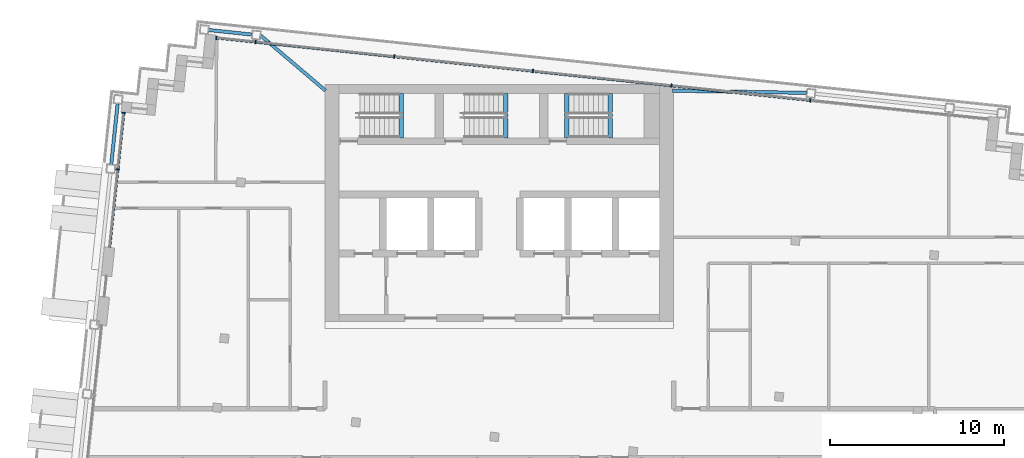
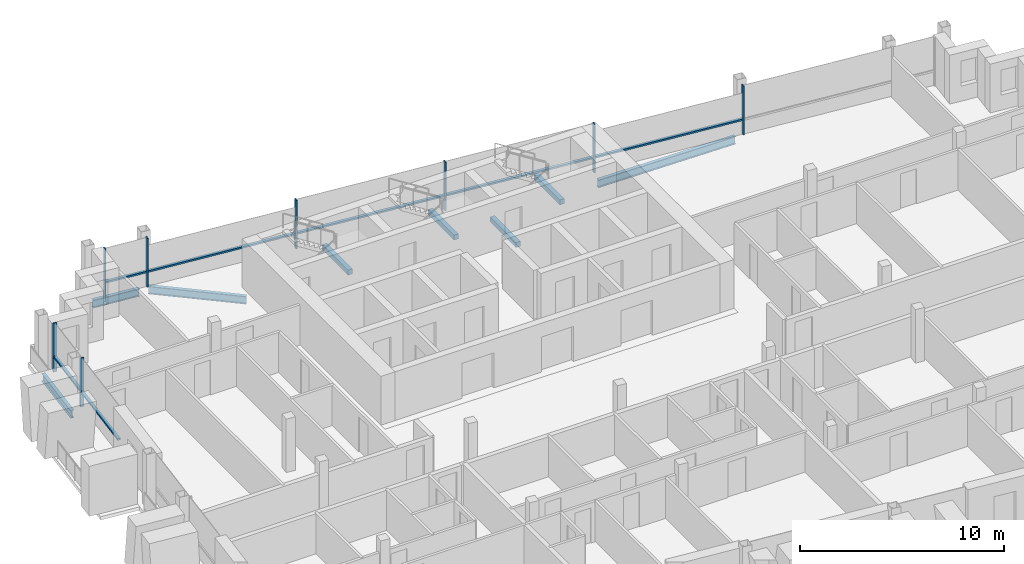
# One storey, part 5 of 16: 15 members, 8 beams, 2 elements without a shape of their own.
"""IFC4 building model written with IfcOpenShell, lengths in metres."""

from ifc_helpers import new_model, si_unit, direction, frame, origin, origin_2d, place, context, subcontext, project, spatial, rectangle, i_section, extrude, material, material_profile, profile_set, type_object, element, aggregate, save


model = new_model("IFC4")

# Units and contexts
model_context = context("Model", 3, precision=1e-05, world=origin(), true_north=direction((0.0, 1.0)))
body_context = subcontext(model_context, "Body", "Model", "MODEL_VIEW")
ifc_project = project(units=[si_unit("LENGTHUNIT", "METRE"), si_unit("AREAUNIT", "SQUARE_METRE"), si_unit("VOLUMEUNIT", "CUBIC_METRE"), si_unit("PLANEANGLEUNIT", "RADIAN"), si_unit("MASSUNIT", "GRAM", prefix="KILO")], contexts=[model_context])

# Site, building, storey
site_placement = place(None, origin())
site = spatial("IfcSite", under=ifc_project, at=site_placement, CompositionType="ELEMENT")
building_placement = place(site_placement, origin())
building = spatial("IfcBuilding", under=site, at=building_placement, Name="Vidyagriha Tower", CompositionType="ELEMENT")
storey_placement = place(building_placement, frame((0.0, 0.0, 272.300048828125)))
storey = spatial("IfcBuildingStorey", under=building, at=storey_placement, Name="L71", CompositionType="ELEMENT", Elevation=272.300048828125)

# Beams
ifc_material_1 = material(Name="Steel ASTM A992 Grade 50", Category="steel")
ifc_material_profile_1 = material_profile(ifc_material_1, i_section(OverallWidth=0.19189453125, OverallDepth=0.46240234375, WebThickness=0.010498046875, FlangeThickness=0.017578125, at=origin_2d()), Name="W18X60")
ifc_profile_set_1 = profile_set([ifc_material_profile_1], Name="Steel ASTM A992 Grade 50")
beam_type_1 = type_object("IfcBeamType", Name="Edge beam W18X60", PredefinedType="SPANDREL", material=ifc_profile_set_1)
beam_1_placement = place(storey_placement, frame((-22.263916015625, 15.422607421875, -0.51123046875), z_axis=(0.104495960989, 0.994525310958, 0.0), x_axis=(-0.994525310958, 0.104495960989, 0.0)))
element("IfcBeam", 1, at=beam_1_placement, inside=storey, type_object=beam_type_1, Name="st-beam-L71-W12", PredefinedType="SPANDREL", context=body_context, shape_type="SweptSolid", body=[
    extrude(i_section(OverallWidth=0.19189453125, OverallDepth=0.46240234375, WebThickness=0.010498046875, FlangeThickness=0.017578125, at=origin_2d()), origin(), (0.0, 0.0, 1.0), 3.499755859375),
])
beam_2_placement = place(storey_placement, frame((-16.677490234375, 23.130859375, -0.51123046875), z_axis=(0.994514546653, -0.104598357995, 0.0), x_axis=(0.104598357995, 0.994514546653, 0.0)))
element("IfcBeam", 2, at=beam_2_placement, inside=storey, type_object=beam_type_1, Name="st-beam-L71-NW18", PredefinedType="SPANDREL", context=body_context, shape_type="SweptSolid", body=[
    extrude(i_section(OverallWidth=0.19189453125, OverallDepth=0.46240234375, WebThickness=0.010498046875, FlangeThickness=0.017578125, at=origin_2d()), origin(), (0.0, 0.0, 1.0), 2.499755859375),
])
beam_3_placement = place(storey_placement, frame((-13.694091796875, 22.817138671875, -0.51123046875), z_axis=(0.762224865329, -0.647312331625, 0.0), x_axis=(0.647312331625, 0.762224865329, 0.0)))
element("IfcBeam", 3, at=beam_3_placement, inside=storey, type_object=beam_type_1, Name="st-beam-L71-NC21", PredefinedType="SPANDREL", context=body_context, shape_type="SweptSolid", body=[
    extrude(i_section(OverallWidth=0.19189453125, OverallDepth=0.46240234375, WebThickness=0.010498046875, FlangeThickness=0.017578125, at=origin_2d()), origin(), (0.0, 0.0, 1.0), 4.892822265625),
])
beam_4_placement = place(storey_placement, frame((9.92578125, 19.64990234375, -0.51123046875), z_axis=(0.99986748631, -0.016279122203, 0.0), x_axis=(0.016279122203, 0.99986748631, 0.0)))
element("IfcBeam", 4, at=beam_4_placement, inside=storey, type_object=beam_type_1, Name="st-beam-L71-NC22", PredefinedType="SPANDREL", context=body_context, shape_type="SweptSolid", body=[
    extrude(i_section(OverallWidth=0.19189453125, OverallDepth=0.46240234375, WebThickness=0.010498046875, FlangeThickness=0.017578125, at=origin_2d()), origin(), (0.0, 0.0, 1.0), 7.70849609375),
])

# Curtain wall, members
ifc_material_2 = material(Name="Aluminium and glass curtain wall", Category="aluminium")
curtain_wall_type = type_object("IfcCurtainWallType", Name="Dwelling skin unitised curtain wall", PredefinedType="USERDEFINED", material=ifc_material_2)
curtain_wall_1_placement = place(storey_placement, origin())
curtain_wall_1 = element("IfcCurtainWall", 5, at=curtain_wall_1_placement, inside=storey, type_object=curtain_wall_type, Name="CW1 dwelling skin", ObjectType="UNITISED", PredefinedType="USERDEFINED")
ifc_material_3 = material(Name="Aluminium black anodised", Category="aluminium")
ifc_material_profile_2 = material_profile(ifc_material_3, rectangle(XDim=0.199951171875, YDim=0.070068359375, at=origin_2d()), Name="Mullion 70x200 black aluminium")
ifc_profile_set_2 = profile_set([ifc_material_profile_2], Name="Aluminium black anodised")
member_type_1 = type_object("IfcMemberType", Name="Mullion 70x200 black aluminium", PredefinedType="MULLION", material=ifc_profile_set_2)
member_1_placement = place(storey_placement, frame((17.840087890625, 19.1005859375, 0.0), z_axis=(0.0, 0.0, 1.0), x_axis=(-0.104528852722, -0.994521854435, 0.0)))
member_1 = element("IfcMember", 6, at=member_1_placement, type_object=member_type_1, Name="CW1 mullion 3", PredefinedType="MULLION", context=body_context, shape_type="SweptSolid", body=[
    extrude(rectangle(XDim=0.199951171875, YDim=0.070068359375, at=origin_2d()), origin(), (0.0, 0.0, 1.0), 2.919921875),
])
member_2_placement = place(storey_placement, frame((9.884033203125, 19.936767578125, 0.0), z_axis=(0.0, 0.0, 1.0), x_axis=(-0.104528852722, -0.994521854435, 0.0)))
member_2 = element("IfcMember", 7, at=member_2_placement, type_object=member_type_1, Name="CW1 mullion 4", PredefinedType="MULLION", context=body_context, shape_type="SweptSolid", body=[
    extrude(rectangle(XDim=0.199951171875, YDim=0.070068359375, at=origin_2d()), origin(), (0.0, 0.0, 1.0), 2.919921875),
])
member_3_placement = place(storey_placement, frame((1.927978515625, 20.773193359375, 0.0), z_axis=(0.0, 0.0, 1.0), x_axis=(-0.104528852722, -0.994521854435, 0.0)))
member_3 = element("IfcMember", 8, at=member_3_placement, type_object=member_type_1, Name="CW1 mullion 5", PredefinedType="MULLION", context=body_context, shape_type="SweptSolid", body=[
    extrude(rectangle(XDim=0.199951171875, YDim=0.070068359375, at=origin_2d()), origin(), (0.0, 0.0, 1.0), 2.919921875),
])
member_4_placement = place(storey_placement, frame((-6.0283203125, 21.609375, 0.0), z_axis=(0.0, 0.0, 1.0), x_axis=(-0.104528852722, -0.994521854435, 0.0)))
member_4 = element("IfcMember", 9, at=member_4_placement, type_object=member_type_1, Name="CW1 mullion 6", PredefinedType="MULLION", context=body_context, shape_type="SweptSolid", body=[
    extrude(rectangle(XDim=0.199951171875, YDim=0.070068359375, at=origin_2d()), origin(), (0.0, 0.0, 1.0), 2.919921875),
])
member_5_placement = place(storey_placement, frame((-13.984375, 22.445556640625, 0.0), z_axis=(0.0, 0.0, 1.0), x_axis=(-0.104528852722, -0.994521854435, 0.0)))
member_5 = element("IfcMember", 10, at=member_5_placement, type_object=member_type_1, Name="CW1 mullion 7", PredefinedType="MULLION", context=body_context, shape_type="SweptSolid", body=[
    extrude(rectangle(XDim=0.199951171875, YDim=0.070068359375, at=origin_2d()), origin(), (0.0, 0.0, 1.0), 2.919921875),
])
member_6_placement = place(storey_placement, frame((-16.2373046875, 22.682373046875, 0.0), z_axis=(0.0, 0.0, 1.0), x_axis=(-0.104528852722, -0.994521854435, 0.0)))
member_6 = element("IfcMember", 11, at=member_6_placement, type_object=member_type_1, Name="CW1 mullion 8", PredefinedType="MULLION", context=body_context, shape_type="SweptSolid", body=[
    extrude(rectangle(XDim=0.199951171875, YDim=0.070068359375, at=origin_2d()), origin(), (0.0, 0.0, 1.0), 2.919921875),
])

curtain_wall_2_placement = place(storey_placement, origin())
curtain_wall_2 = element("IfcCurtainWall", 12, at=curtain_wall_2_placement, inside=storey, type_object=curtain_wall_type, Name="CW1 dwelling skin", ObjectType="UNITISED", PredefinedType="USERDEFINED")
member_7_placement = place(storey_placement, frame((-21.551025390625, 18.379150390625, 0.0), z_axis=(0.0, 0.0, 1.0), x_axis=(0.994522229676, -0.104525282489, 0.0)))
member_7 = element("IfcMember", 13, at=member_7_placement, type_object=member_type_1, Name="CW1 mullion 1", PredefinedType="MULLION", context=body_context, shape_type="SweptSolid", body=[
    extrude(rectangle(XDim=0.199951171875, YDim=0.070068359375, at=origin_2d()), origin(), (0.0, 0.0, 1.0), 2.919921875),
])
member_8_placement = place(storey_placement, frame((-21.892333984375, 15.132080078125, 0.0), z_axis=(0.0, 0.0, 1.0), x_axis=(0.994522229676, -0.104525282489, 0.0)))
member_8 = element("IfcMember", 14, at=member_8_placement, type_object=member_type_1, Name="CW1 mullion 2", PredefinedType="MULLION", context=body_context, shape_type="SweptSolid", body=[
    extrude(rectangle(XDim=0.199951171875, YDim=0.070068359375, at=origin_2d()), origin(), (0.0, 0.0, 1.0), 2.919921875),
])

# Beams
ifc_material_4 = material(Name="Concrete C40/50", Category="concrete")
ifc_material_profile_3 = material_profile(ifc_material_4, rectangle(XDim=0.25, YDim=0.300048828125, at=origin_2d()), Name="Stair landing bearing beam 250x300")
ifc_profile_set_3 = profile_set([ifc_material_profile_3], Name="Concrete C40/50")
beam_type_2 = type_object("IfcBeamType", Name="Stair landing bearing beam 250x300", PredefinedType="BEAM", material=ifc_profile_set_3)
for number, where, z_axis, x_axis, name in (
    (15, (3.875, 16.949951171875, -0.429931640625), (0.0, 1.0, 0.0), (-1.0, 0.0, 0.0), "ST3 floor landing bearing beam L71"),
    (16, (-5.635009765625, 16.949951171875, 1.25), (0.0, 1.0, 0.0), (-1.0, 0.0, 0.0), "ST1 landing bearing beam L71"),
    (17, (0.364990234375, 16.949951171875, 1.25), (0.0, 1.0, 0.0), (-1.0, 0.0, 0.0), "ST2 landing bearing beam L71"),
    (18, (6.364990234375, 16.949951171875, 1.25), (0.0, 1.0, 0.0), (-1.0, 0.0, 0.0), "ST3 landing bearing beam L71"),
):
    element("IfcBeam", number, at=place(storey_placement, frame(where, z_axis=z_axis, x_axis=x_axis)), inside=storey, type_object=beam_type_2, Name=name, PredefinedType="BEAM", context=body_context, shape_type="SweptSolid", body=[
        extrude(rectangle(XDim=0.25, YDim=0.300048828125, at=origin_2d()), origin(), (0.0, 0.0, 1.0), 2.550048828125),
    ])

# Member
ifc_material_5 = material(Name="Aluminium black anodised", Category="aluminium")
ifc_material_profile_4 = material_profile(ifc_material_5, rectangle(XDim=0.159912109375, YDim=0.10009765625, at=origin_2d()), Name="Transom 100x160 black aluminium")
ifc_profile_set_4 = profile_set([ifc_material_profile_4], Name="Aluminium black anodised")
member_type_2 = type_object("IfcMemberType", Name="Transom 100x160 black aluminium", PredefinedType="USERDEFINED", material=ifc_profile_set_4)
member_9_placement = place(storey_placement, frame((17.805419921875, 19.104248046875, 0.89990234375), z_axis=(-0.994522814543, 0.104519717539, 0.0), x_axis=(-0.104519717539, -0.994522814543, 0.0)))
member_9 = element("IfcMember", 19, at=member_9_placement, type_object=member_type_2, Name="CW1 transom 3.1", ObjectType="TRANSOM", PredefinedType="USERDEFINED", context=body_context, shape_type="SweptSolid", body=[
    extrude(rectangle(XDim=0.159912109375, YDim=0.10009765625, at=origin_2d()), origin(), (0.0, 0.0, 1.0), 7.93017578125),
])

member_10_placement = place(storey_placement, frame((9.84912109375, 19.9404296875, 0.89990234375), z_axis=(-0.994519277397, 0.104553368605, 0.0), x_axis=(-0.104553368605, -0.994519277397, 0.0)))
member_10 = element("IfcMember", 20, at=member_10_placement, type_object=member_type_2, Name="CW1 transom 4.1", ObjectType="TRANSOM", PredefinedType="USERDEFINED", context=body_context, shape_type="SweptSolid", body=[
    extrude(rectangle(XDim=0.159912109375, YDim=0.10009765625, at=origin_2d()), origin(), (0.0, 0.0, 1.0), 7.929931640625),
])

member_11_placement = place(storey_placement, frame((1.89306640625, 20.77685546875, 0.89990234375), z_axis=(-0.994522478205, 0.104522917794, 0.0), x_axis=(-0.104522917794, -0.994522478205, 0.0)))
member_11 = element("IfcMember", 21, at=member_11_placement, type_object=member_type_2, Name="CW1 transom 5.1", ObjectType="TRANSOM", PredefinedType="USERDEFINED", context=body_context, shape_type="SweptSolid", body=[
    extrude(rectangle(XDim=0.159912109375, YDim=0.10009765625, at=origin_2d()), origin(), (0.0, 0.0, 1.0), 7.929931640625),
])

member_12_placement = place(storey_placement, frame((-6.06298828125, 21.613037109375, 0.89990234375), z_axis=(-0.994522814543, 0.104519717539, 0.0), x_axis=(-0.104519717539, -0.994522814543, 0.0)))
member_12 = element("IfcMember", 22, at=member_12_placement, type_object=member_type_2, Name="CW1 transom 6.1", ObjectType="TRANSOM", PredefinedType="USERDEFINED", context=body_context, shape_type="SweptSolid", body=[
    extrude(rectangle(XDim=0.159912109375, YDim=0.10009765625, at=origin_2d()), origin(), (0.0, 0.0, 1.0), 7.93017578125),
])

member_13_placement = place(storey_placement, frame((-14.019287109375, 22.44921875, 0.89990234375), z_axis=(-0.994520069272, 0.104545835956, 0.0), x_axis=(-0.104545835956, -0.994520069272, 0.0)))
member_13 = element("IfcMember", 23, at=member_13_placement, type_object=member_type_2, Name="CW1 transom 7.1", ObjectType="TRANSOM", PredefinedType="USERDEFINED", context=body_context, shape_type="SweptSolid", body=[
    extrude(rectangle(XDim=0.159912109375, YDim=0.10009765625, at=origin_2d()), origin(), (0.0, 0.0, 1.0), 2.195068359375),
])

aggregate(curtain_wall_1, [member_1, member_2, member_3, member_4, member_5, member_6, member_9, member_10, member_11, member_12, member_13])

member_14_placement = place(storey_placement, frame((-21.5546875, 18.344482421875, 0.89990234375), z_axis=(-0.104533631179, -0.994521352185, 0.0), x_axis=(0.994521352185, -0.104533631179, 0.0)))
member_14 = element("IfcMember", 24, at=member_14_placement, type_object=member_type_2, Name="CW1 transom 1.1", ObjectType="TRANSOM", PredefinedType="USERDEFINED", context=body_context, shape_type="SweptSolid", body=[
    extrude(rectangle(XDim=0.159912109375, YDim=0.10009765625, at=origin_2d()), origin(), (0.0, 0.0, 1.0), 3.195068359375),
])

member_15_placement = place(storey_placement, frame((-21.89599609375, 15.097412109375, 0.89990234375), z_axis=(-0.104542473379, -0.994520422746, 0.0), x_axis=(0.994520422746, -0.104542473379, 0.0)))
member_15 = element("IfcMember", 25, at=member_15_placement, type_object=member_type_2, Name="CW1 transom 2.1", ObjectType="TRANSOM", PredefinedType="USERDEFINED", context=body_context, shape_type="SweptSolid", body=[
    extrude(rectangle(XDim=0.159912109375, YDim=0.10009765625, at=origin_2d()), origin(), (0.0, 0.0, 1.0), 4.465087890625),
])

aggregate(curtain_wall_2, [member_7, member_8, member_14, member_15])

save(model, "model.ifc")
